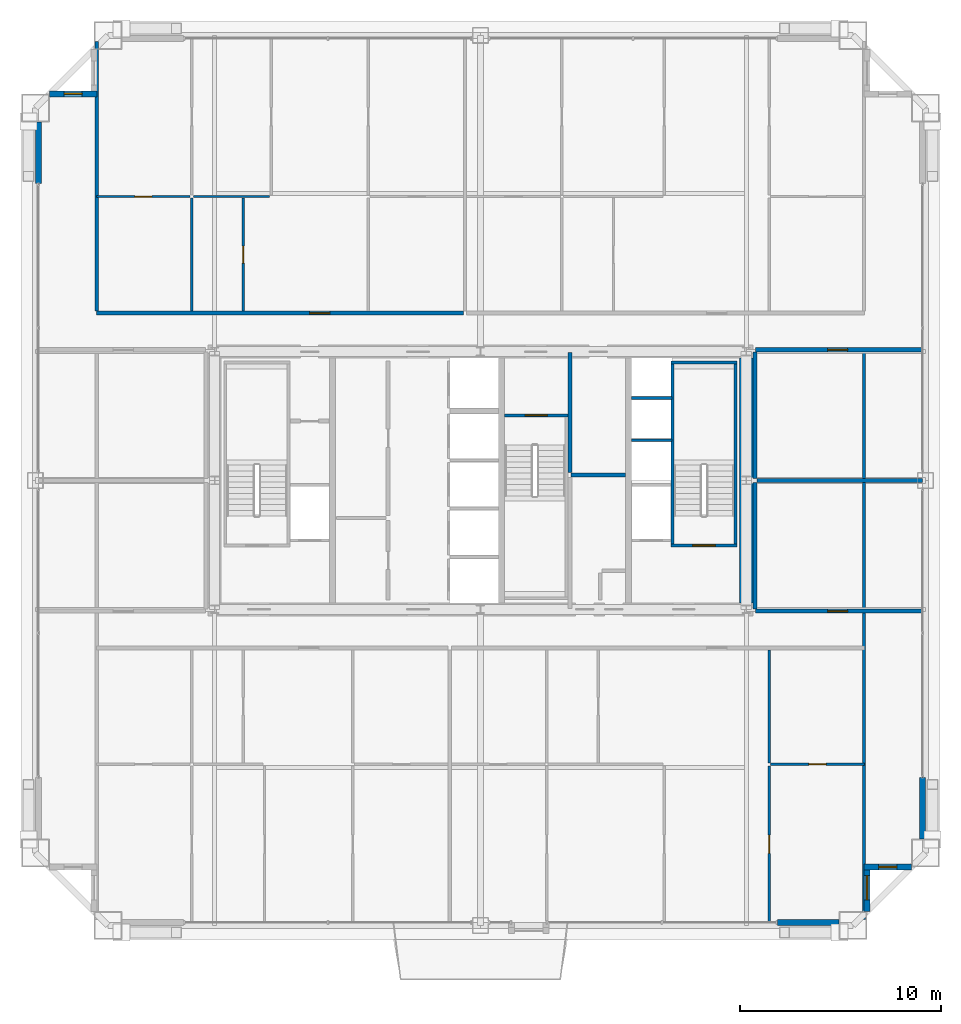
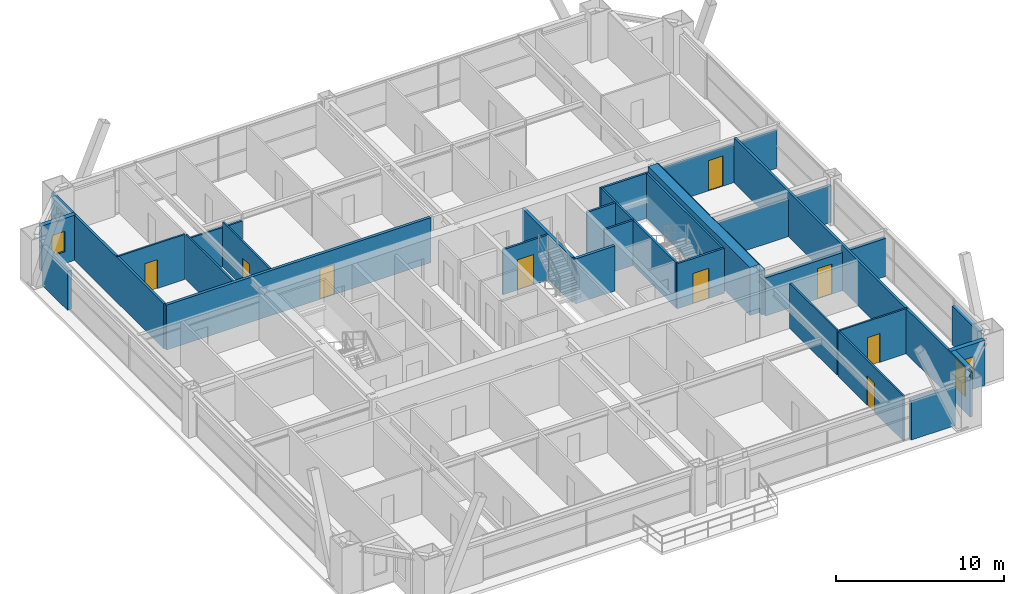
# One storey, part 42 of 45: 31 walls, 9 doors, 3 windows, 12 openings.
"""IFC4 building model written with IfcOpenShell, lengths in metres."""

from ifc_helpers import new_model, si_unit, direction, frame, frame_2d, origin, place, context, subcontext, project, spatial, rectangle, extrude, source, transform, mapped, material, layer, layer_set, type_object, element, fill, save


model = new_model("IFC4")

# Units and contexts
model_context = context("Model", 3, precision=1e-05, world=origin(), true_north=direction((0.0, 1.0)))
body_context = subcontext(model_context, "Body", "Model", "MODEL_VIEW")
ifc_project = project(units=[si_unit("LENGTHUNIT", "METRE"), si_unit("AREAUNIT", "SQUARE_METRE"), si_unit("VOLUMEUNIT", "CUBIC_METRE"), si_unit("PLANEANGLEUNIT", "RADIAN"), si_unit("MASSUNIT", "GRAM", prefix="KILO"), si_unit("THERMODYNAMICTEMPERATUREUNIT", "KELVIN"), si_unit("POWERUNIT", "WATT")], contexts=[model_context])

# Site, building, storey
site_placement = place(None, origin())
site = spatial("IfcSite", under=ifc_project, at=site_placement, CompositionType="ELEMENT")
building_placement = place(site_placement, origin())
building = spatial("IfcBuilding", under=site, at=building_placement, Name="Yuzanri Waterfront Tower", CompositionType="ELEMENT")
storey_placement = place(building_placement, frame((0.0, 0.0, 212.5)))
storey = spatial("IfcBuildingStorey", under=building, at=storey_placement, Name="L56", CompositionType="ELEMENT", Elevation=212.5)

# Wall, opening, door
ifc_material_1 = material(Name="Moisture-Resistant Gypsum Stud Wall", Category="gypsum")
ifc_layer_1 = layer(ifc_material_1, 0.1201171875)
ifc_layer_set_1 = layer_set([ifc_layer_1], Name="Moisture-Resistant Gypsum Stud Wall")
wall_type_1 = type_object("IfcWallType", Name="Bathroom and Kitchen Wet Partition 120", PredefinedType="PARTITIONING", material=ifc_layer_set_1)
wall_1_placement = place(storey_placement, frame((51.4130859375, 11.699951171875, 0.0), z_axis=(0.0, 0.0, 1.0), x_axis=(1.0, 0.0, 0.0)))
wall_1 = element("IfcWall", 1, at=wall_1_placement, inside=storey, type_object=wall_type_1, Name="L56 Partition UW-L56-RS2-SUB-3-S", PredefinedType="PARTITIONING", context=body_context, shape_type="SweptSolid", body=[
    extrude(rectangle(XDim=4.64697265625, YDim=0.1201171875, at=frame_2d((2.323486328125, 0.0))), origin(), (0.0, 0.0, 1.0), 3.280029296875),
])
opening_1_placement = place(wall_1_placement, frame((1.8984375, 0.0, 0.0)))
opening_1 = element("IfcOpeningElement", 2, at=opening_1_placement, cuts=wall_1, Name="Opening ID-0850", PredefinedType="OPENING", context=body_context, shape_type="SweptSolid", body=[
    extrude(rectangle(XDim=0.85009765625, YDim=2.10009765625, at=frame_2d((0.425048828125, 1.050048828125))), frame((0.0, 0.074951171875, 0.0), z_axis=(0.0, -1.0, 0.0), x_axis=(1.0, 0.0, 0.0)), (0.0, 0.0, 1.0), 0.14990234375),
])
ifc_material_2 = material(Name="Moisture-Resistant Lacquered Timber", Category="wood")
door_type_1 = type_object("IfcDoorType", Name="En-Suite Bathroom and Kitchen Swing Door 850x2100", OperationType="NOTDEFINED", PredefinedType="DOOR", material=ifc_material_2)
shared_shape_1 = source(origin(), body_context, "Body", "SweptSolid", [
    extrude(rectangle(XDim=0.85009765625, YDim=2.10009765625, at=frame_2d((0.425048828125, 1.050048828125))), frame((0.0, 0.02490234375, 0.0), z_axis=(0.0, -1.0, 0.0), x_axis=(1.0, 0.0, 0.0)), (0.0, 0.0, 1.0), 0.050048828125),
])
door_1_placement = place(opening_1_placement, origin())
door_1 = element("IfcDoor", 3, at=door_1_placement, inside=storey, type_object=door_type_1, Name="L56 Suite Interior Room Door", OperationType="SINGLE_SWING_RIGHT", OverallHeight=2.10009765625, OverallWidth=0.85009765625, PredefinedType="DOOR", context=body_context, shape_type="MappedRepresentation", body=[
    mapped(shared_shape_1, transform((0.0, 0.0, 0.0), scale=1.0)),
])
fill(opening_1, door_1)

wall_2_placement = place(storey_placement, frame((51.3330078125, 3.85009765625, 0.0), z_axis=(0.0, 0.0, 1.0), x_axis=(0.0, 1.0, 0.0)))
wall_2 = element("IfcWall", 4, at=wall_2_placement, inside=storey, type_object=wall_type_1, Name="L56 Partition UW-L56-RS2-SUB-5-W", PredefinedType="PARTITIONING", context=body_context, shape_type="SweptSolid", body=[
    extrude(rectangle(XDim=7.77001953125, YDim=0.1201171875, at=frame_2d((3.885009765625, 0.0))), origin(), (0.0, 0.0, 1.0), 3.280029296875),
])
opening_2_placement = place(wall_2_placement, frame((3.43505859375, 0.0, 0.0)))
opening_2 = element("IfcOpeningElement", 5, at=opening_2_placement, cuts=wall_2, Name="Opening ID-0900", PredefinedType="OPENING", context=body_context, shape_type="SweptSolid", body=[
    extrude(rectangle(XDim=0.89990234375, YDim=2.14990234375, at=frame_2d((0.449951171875, 1.074951171875))), frame((0.0, 0.074951171875, 0.0), z_axis=(0.0, -1.0, 0.0), x_axis=(1.0, 0.0, 0.0)), (0.0, 0.0, 1.0), 0.14990234375),
])
ifc_material_3 = material(Name="Stained Walnut Veneer Timber", Category="wood")
door_type_2 = type_object("IfcDoorType", Name="Bedroom and Study Interior Swing Door 900x2150", OperationType="NOTDEFINED", PredefinedType="DOOR", material=ifc_material_3)
shared_shape_2 = source(origin(), body_context, "Body", "SweptSolid", [
    extrude(rectangle(XDim=0.89990234375, YDim=2.14990234375, at=frame_2d((0.449951171875, 1.074951171875))), frame((0.0, 0.02490234375, 0.0), z_axis=(0.0, -1.0, 0.0), x_axis=(1.0, 0.0, 0.0)), (0.0, 0.0, 1.0), 0.050048828125),
])
door_2_placement = place(opening_2_placement, origin())
door_2 = element("IfcDoor", 6, at=door_2_placement, inside=storey, type_object=door_type_2, Name="L56 Suite Interior Room Door", OperationType="SINGLE_SWING_RIGHT", OverallHeight=2.14990234375, OverallWidth=0.89990234375, PredefinedType="DOOR", context=body_context, shape_type="MappedRepresentation", body=[
    mapped(shared_shape_2, transform((0.0, 0.0, 0.0), scale=1.0)),
])
fill(opening_2, door_2)

wall_3_placement = place(storey_placement, frame((17.93994140625, 39.89990234375, 0.0), z_axis=(0.0, 0.0, 1.0), x_axis=(1.0, 0.0, 0.0)))
wall_3 = element("IfcWall", 7, at=wall_3_placement, inside=storey, type_object=wall_type_1, Name="L56 Partition UW-L56-RN1-SUB-1-N", PredefinedType="PARTITIONING", context=body_context, shape_type="SweptSolid", body=[
    extrude(rectangle(XDim=4.64697265625, YDim=0.1201171875, at=frame_2d((2.323486328125, 0.0))), origin(), (0.0, 0.0, 1.0), 3.280029296875),
])
opening_3_placement = place(wall_3_placement, frame((1.8984375, 0.0, 0.0)))
opening_3 = element("IfcOpeningElement", 8, at=opening_3_placement, cuts=wall_3, Name="Opening ID-0850", PredefinedType="OPENING", context=body_context, shape_type="SweptSolid", body=[
    extrude(rectangle(XDim=0.85009765625, YDim=2.10009765625, at=frame_2d((0.425048828125, 1.050048828125))), frame((0.0, 0.074951171875, 0.0), z_axis=(0.0, -1.0, 0.0), x_axis=(1.0, 0.0, 0.0)), (0.0, 0.0, 1.0), 0.14990234375),
])
door_3_placement = place(opening_3_placement, origin())
door_3 = element("IfcDoor", 9, at=door_3_placement, inside=storey, type_object=door_type_1, Name="L56 Suite Interior Room Door", OperationType="SINGLE_SWING_LEFT", OverallHeight=2.10009765625, OverallWidth=0.85009765625, PredefinedType="DOOR", context=body_context, shape_type="MappedRepresentation", body=[
    mapped(shared_shape_1, transform((0.0, 0.0, 0.0), scale=1.0)),
])
fill(opening_3, door_3)

wall_4_placement = place(storey_placement, frame((25.22705078125, 34.2099609375, 0.0), z_axis=(0.0, 0.0, 1.0), x_axis=(0.0, 1.0, 0.0)))
wall_4 = element("IfcWall", 10, at=wall_4_placement, inside=storey, type_object=wall_type_1, Name="L56 Partition UW-L56-RN1-SUB-2-E", PredefinedType="PARTITIONING", context=body_context, shape_type="SweptSolid", body=[
    extrude(rectangle(XDim=5.610107421875, YDim=0.1201171875, at=frame_2d((2.80517578125, 0.0))), origin(), (0.0, 0.0, 1.0), 3.280029296875),
])
opening_4_placement = place(wall_4_placement, frame((2.3798828125, 0.0, 0.0)))
opening_4 = element("IfcOpeningElement", 11, at=opening_4_placement, cuts=wall_4, Name="Opening ID-0850", PredefinedType="OPENING", context=body_context, shape_type="SweptSolid", body=[
    extrude(rectangle(XDim=0.85009765625, YDim=2.10009765625, at=frame_2d((0.425048828125, 1.050048828125))), frame((0.0, 0.074951171875, 0.0), z_axis=(0.0, -1.0, 0.0), x_axis=(1.0, 0.0, 0.0)), (0.0, 0.0, 1.0), 0.14990234375),
])
door_4_placement = place(opening_4_placement, origin())
door_4 = element("IfcDoor", 12, at=door_4_placement, inside=storey, type_object=door_type_1, Name="L56 Suite Interior Room Door", OperationType="SINGLE_SWING_RIGHT", OverallHeight=2.10009765625, OverallWidth=0.85009765625, PredefinedType="DOOR", context=body_context, shape_type="MappedRepresentation", body=[
    mapped(shared_shape_1, transform((0.0, 0.0, 0.0), scale=1.0)),
])
fill(opening_4, door_4)

# Wall, opening, window
ifc_material_4 = material(Name="Honed Chongqing Dark Basalt Stone", Category="masonry")
ifc_layer_2 = layer(ifc_material_4, 0.300048828125)
ifc_layer_set_2 = layer_set([ifc_layer_2], Name="Honed Chongqing Dark Basalt Stone")
wall_type_2 = type_object("IfcWallType", Name="Bronze Rainscreen Insulated Spandrel Portal Wall 300", PredefinedType="SOLIDWALL", material=ifc_layer_set_2)
wall_5_placement = place(storey_placement, frame((56.050048828125, 6.60009765625, 0.0), z_axis=(0.0, 0.0, 1.0), x_axis=(1.0, 0.0, 0.0)))
wall_5 = element("IfcWall", 13, at=wall_5_placement, inside=storey, type_object=wall_type_2, Name="L56 Notched Corner Masonry Wall SE-X", PredefinedType="SOLIDWALL", context=body_context, shape_type="SweptSolid", body=[
    extrude(rectangle(XDim=2.349853515625, YDim=0.300048828125, at=frame_2d((1.1748046875, 0.0))), origin(), (0.0, 0.0, 1.0), 3.280029296875),
])
opening_5_placement = place(wall_5_placement, frame((0.72509765625, 0.0, 0.85009765625)))
opening_5 = element("IfcOpeningElement", 14, at=opening_5_placement, cuts=wall_5, Name="Opening WN-05", PredefinedType="OPENING", context=body_context, shape_type="SweptSolid", body=[
    extrude(rectangle(XDim=0.89990234375, YDim=1.5, at=frame_2d((0.449951171875, 0.75))), frame((0.0, 0.1650390625, 0.0), z_axis=(0.0, -1.0, 0.0), x_axis=(1.0, 0.0, 0.0)), (0.0, 0.0, 1.0), 0.329833984375),
])
ifc_material_5 = material(Name="Double-Silver Low-E Insulated Glass", Category="glass")
window_type_1 = type_object("IfcWindowType", Name="Anodized Bronze Service and Stairwell Smoke-Vent Window 900x1500", PartitioningType="SINGLE_PANEL", PredefinedType="WINDOW", material=ifc_material_5)
shared_shape_3 = source(origin(), body_context, "Body", "SweptSolid", [
    extrude(rectangle(XDim=0.89990234375, YDim=1.5, at=frame_2d((0.449951171875, 0.75))), frame((0.0, 0.030029296875, 0.0), z_axis=(0.0, -1.0, 0.0), x_axis=(1.0, 0.0, 0.0)), (0.0, 0.0, 1.0), 0.06005859375),
])
window_1_placement = place(opening_5_placement, origin())
window_1 = element("IfcWindow", 15, at=window_1_placement, inside=storey, type_object=window_type_1, Name="L56 Notched Corner Window SE-X", OverallHeight=1.5, OverallWidth=0.89990234375, PartitioningType="SINGLE_PANEL", PredefinedType="WINDOW", context=body_context, shape_type="MappedRepresentation", body=[
    mapped(shared_shape_3, transform((0.0, 0.0, 0.0), scale=1.0)),
])
fill(opening_5, window_1)

wall_6_placement = place(storey_placement, frame((56.199951171875, 4.39990234375, 0.0), z_axis=(0.0, 0.0, 1.0), x_axis=(0.0, 1.0, 0.0)))
wall_6 = element("IfcWall", 16, at=wall_6_placement, inside=storey, type_object=wall_type_2, Name="L56 Notched Corner Masonry Wall SE-Y", PredefinedType="SOLIDWALL", context=body_context, shape_type="SweptSolid", body=[
    extrude(rectangle(XDim=2.35009765625, YDim=0.300048828125, at=frame_2d((1.175048828125, 0.0))), origin(), (0.0, 0.0, 1.0), 3.280029296875),
])
opening_6_placement = place(wall_6_placement, frame((0.574951171875, 0.0, 0.85009765625)))
opening_6 = element("IfcOpeningElement", 17, at=opening_6_placement, cuts=wall_6, Name="Opening WN-02", PredefinedType="OPENING", context=body_context, shape_type="SweptSolid", body=[
    extrude(rectangle(XDim=1.199951171875, YDim=2.10009765625, at=frame_2d((0.60009765625, 1.050048828125))), frame((0.0, 0.1650390625, 0.0), z_axis=(0.0, -1.0, 0.0), x_axis=(1.0, 0.0, 0.0)), (0.0, 0.0, 1.0), 0.329833984375),
])
ifc_material_6 = material(Name="Double-Silver Low-E Insulated Glass", Category="glass")
window_type_2 = type_object("IfcWindowType", Name="Anodized Bronze Notched Corner Deep-Set Slot Window 1200x2100", PartitioningType="SINGLE_PANEL", PredefinedType="WINDOW", material=ifc_material_6)
shared_shape_4 = source(origin(), body_context, "Body", "SweptSolid", [
    extrude(rectangle(XDim=1.199951171875, YDim=2.10009765625, at=frame_2d((0.60009765625, 1.050048828125))), frame((0.0, 0.030029296875, 0.0), z_axis=(0.0, -1.0, 0.0), x_axis=(1.0, 0.0, 0.0)), (0.0, 0.0, 1.0), 0.06005859375),
])
window_2_placement = place(opening_6_placement, origin())
window_2 = element("IfcWindow", 18, at=window_2_placement, inside=storey, type_object=window_type_2, Name="L56 Notched Corner Window SE-Y", OverallHeight=2.10009765625, OverallWidth=1.199951171875, PartitioningType="SINGLE_PANEL", PredefinedType="WINDOW", context=body_context, shape_type="MappedRepresentation", body=[
    mapped(shared_shape_4, transform((0.0, 0.0, 0.0), scale=1.0)),
])
fill(opening_6, window_2)

wall_7_placement = place(storey_placement, frame((17.949951171875, 45.0, 0.0), z_axis=(0.0, 0.0, 1.0), x_axis=(-1.0, 0.0, 0.0)))
wall_7 = element("IfcWall", 19, at=wall_7_placement, inside=storey, type_object=wall_type_2, Name="L56 Notched Corner Masonry Wall NW-X", PredefinedType="SOLIDWALL", context=body_context, shape_type="SweptSolid", body=[
    extrude(rectangle(XDim=2.349853515625, YDim=0.300048828125, at=frame_2d((1.1748046875, 0.0))), origin(), (0.0, 0.0, 1.0), 3.280029296875),
])
opening_7_placement = place(wall_7_placement, frame((0.72509765625, 0.0, 0.85009765625)))
opening_7 = element("IfcOpeningElement", 20, at=opening_7_placement, cuts=wall_7, Name="Opening WN-05", PredefinedType="OPENING", context=body_context, shape_type="SweptSolid", body=[
    extrude(rectangle(XDim=0.89990234375, YDim=1.5, at=frame_2d((0.449951171875, 0.75))), frame((0.0, 0.1650390625, 0.0), z_axis=(0.0, -1.0, 0.0), x_axis=(1.0, 0.0, 0.0)), (0.0, 0.0, 1.0), 0.329833984375),
])
window_3_placement = place(opening_7_placement, origin())
window_3 = element("IfcWindow", 21, at=window_3_placement, inside=storey, type_object=window_type_1, Name="L56 Notched Corner Window NW-X", OverallHeight=1.5, OverallWidth=0.89990234375, PartitioningType="SINGLE_PANEL", PredefinedType="WINDOW", context=body_context, shape_type="MappedRepresentation", body=[
    mapped(shared_shape_3, transform((0.0, 0.0, 0.0), scale=1.0)),
])
fill(opening_7, window_3)

# Wall, opening, door
ifc_material_7 = material(Name="Concrete C40", Category="concrete")
ifc_layer_3 = layer(ifc_material_7, 0.139892578125)
ifc_layer_set_3 = layer_set([ifc_layer_3], Name="Concrete C40")
wall_type_3 = type_object("IfcWallType", Name="Core Stair Liner and Hoistway Shaft Wall 140", PredefinedType="SOLIDWALL", material=ifc_layer_set_3)
wall_8_placement = place(storey_placement, frame((46.4599609375, 22.570068359375, 0.0), z_axis=(0.0, 0.0, 1.0), x_axis=(1.0, 0.0, 0.0)))
wall_8 = element("IfcWall", 22, at=wall_8_placement, inside=storey, type_object=wall_type_3, Name="L56 Shaft Wall STW-L56-ST-02-S", PredefinedType="SOLIDWALL", context=body_context, shape_type="SweptSolid", body=[
    extrude(rectangle(XDim=3.280029296875, YDim=0.139892578125, at=frame_2d((1.64013671875, 0.0))), origin(), (0.0, 0.0, 1.0), 3.280029296875),
])
opening_8_placement = place(wall_8_placement, frame((1.090087890625, 0.0, 0.0)))
opening_8 = element("IfcOpeningElement", 23, at=opening_8_placement, cuts=wall_8, Name="Opening FD-1100", PredefinedType="OPENING", context=body_context, shape_type="SweptSolid", body=[
    extrude(rectangle(XDim=1.10009765625, YDim=2.199951171875, at=frame_2d((0.550048828125, 1.10009765625))), frame((0.0, 0.0849609375, 0.0), z_axis=(0.0, -1.0, 0.0), x_axis=(1.0, 0.0, 0.0)), (0.0, 0.0, 1.0), 0.169677734375),
])
ifc_material_8 = material(Name="Painted Galvanized Fire Steel", Category="steel")
door_type_3 = type_object("IfcDoorType", Name="Smoke-Proof Stair and Lobby Fire Door 1100x2200", OperationType="NOTDEFINED", PredefinedType="DOOR", material=ifc_material_8)
shared_shape_5 = source(origin(), body_context, "Body", "SweptSolid", [
    extrude(rectangle(XDim=1.10009765625, YDim=2.199951171875, at=frame_2d((0.550048828125, 1.10009765625))), frame((0.0, 0.02490234375, 0.0), z_axis=(0.0, -1.0, 0.0), x_axis=(1.0, 0.0, 0.0)), (0.0, 0.0, 1.0), 0.050048828125),
])
door_5_placement = place(opening_8_placement, origin())
door_5 = element("IfcDoor", 24, at=door_5_placement, inside=storey, type_object=door_type_3, Name="L56 Stair ST-02 Fire Door", OperationType="SINGLE_SWING_RIGHT", OverallHeight=2.199951171875, OverallWidth=1.10009765625, PredefinedType="DOOR", context=body_context, shape_type="MappedRepresentation", body=[
    mapped(shared_shape_5, transform((0.0, 0.0, 0.0), scale=1.0)),
])
fill(opening_8, door_5)

wall_9_placement = place(storey_placement, frame((38.199951171875, 29.030029296875, 0.0), z_axis=(0.0, 0.0, 1.0), x_axis=(1.0, 0.0, 0.0)))
wall_9 = element("IfcWall", 25, at=wall_9_placement, inside=storey, type_object=wall_type_3, Name="L56 Shaft Wall STW-L56-ST-03-N", PredefinedType="SOLIDWALL", context=body_context, shape_type="SweptSolid", body=[
    extrude(rectangle(XDim=3.14013671875, YDim=0.139892578125, at=frame_2d((1.570068359375, 0.0))), origin(), (0.0, 0.0, 1.0), 3.280029296875),
])
opening_9_placement = place(wall_9_placement, frame((1.02001953125, 0.0, 0.0)))
opening_9 = element("IfcOpeningElement", 26, at=opening_9_placement, cuts=wall_9, Name="Opening FD-1100", PredefinedType="OPENING", context=body_context, shape_type="SweptSolid", body=[
    extrude(rectangle(XDim=1.10009765625, YDim=2.199951171875, at=frame_2d((0.550048828125, 1.10009765625))), frame((0.0, 0.0849609375, 0.0), z_axis=(0.0, -1.0, 0.0), x_axis=(1.0, 0.0, 0.0)), (0.0, 0.0, 1.0), 0.169677734375),
])
door_6_placement = place(opening_9_placement, origin())
door_6 = element("IfcDoor", 27, at=door_6_placement, inside=storey, type_object=door_type_3, Name="L56 Stair ST-03 Fire Door", OperationType="SINGLE_SWING_LEFT", OverallHeight=2.199951171875, OverallWidth=1.10009765625, PredefinedType="DOOR", context=body_context, shape_type="MappedRepresentation", body=[
    mapped(shared_shape_5, transform((0.0, 0.0, 0.0), scale=1.0)),
])
fill(opening_9, door_6)

ifc_material_9 = material(Name="Autoclaved Aerated Concrete Blockwork", Category="masonry")
ifc_layer_4 = layer(ifc_material_9, 0.199951171875)
ifc_layer_set_4 = layer_set([ifc_layer_4], Name="Autoclaved Aerated Concrete Blockwork")
wall_type_4 = type_object("IfcWallType", Name="Corridor and Unit Party Fire Wall 200", PredefinedType="PARTITIONING", material=ifc_layer_set_4)
wall_10_placement = place(storey_placement, frame((17.93994140625, 34.110107421875, 0.0), z_axis=(0.0, 0.0, 1.0), x_axis=(1.0, 0.0, 0.0)))
wall_10 = element("IfcWall", 28, at=wall_10_placement, inside=storey, type_object=wall_type_4, Name="L56 Partition UW-L56-RN1-CS", PredefinedType="PARTITIONING", context=body_context, shape_type="SweptSolid", body=[
    extrude(rectangle(XDim=18.218017578125, YDim=0.199951171875, at=frame_2d((9.10888671875, 0.0))), origin(), (0.0, 0.0, 1.0), 3.280029296875),
])
opening_10_placement = place(wall_10_placement, frame((10.58203125, 0.0, 0.0)))
opening_10 = element("IfcOpeningElement", 29, at=opening_10_placement, cuts=wall_10, Name="Opening FD-1000", PredefinedType="OPENING", context=body_context, shape_type="SweptSolid", body=[
    extrude(rectangle(XDim=1.0, YDim=2.199951171875, at=frame_2d((0.5, 1.10009765625))), frame((0.0, 0.11474609375, 0.0), z_axis=(0.0, -1.0, 0.0), x_axis=(1.0, 0.0, 0.0)), (0.0, 0.0, 1.0), 0.229736328125),
])
ifc_material_10 = material(Name="Engineered Oak Fire-Rated Timber", Category="wood")
door_type_4 = type_object("IfcDoorType", Name="Guestroom and Apartment Entrance Fire Door 1000x2200", OperationType="NOTDEFINED", PredefinedType="DOOR", material=ifc_material_10)
shared_shape_6 = source(origin(), body_context, "Body", "SweptSolid", [
    extrude(rectangle(XDim=1.0, YDim=2.199951171875, at=frame_2d((0.5, 1.10009765625))), frame((0.0, 0.02490234375, 0.0), z_axis=(0.0, -1.0, 0.0), x_axis=(1.0, 0.0, 0.0)), (0.0, 0.0, 1.0), 0.050048828125),
])
door_7_placement = place(opening_10_placement, origin())
door_7 = element("IfcDoor", 30, at=door_7_placement, inside=storey, type_object=door_type_4, Name="L56 Apartment Living and Dining Salon Entrance Door", OperationType="SINGLE_SWING_RIGHT", OverallHeight=2.199951171875, OverallWidth=1.0, PredefinedType="DOOR", context=body_context, shape_type="MappedRepresentation", body=[
    mapped(shared_shape_6, transform((0.0, 0.0, 0.0), scale=1.0)),
])
fill(opening_10, door_7)

wall_11_placement = place(storey_placement, frame((50.64990234375, 19.31005859375, 0.0), z_axis=(0.0, 0.0, 1.0), x_axis=(1.0, 0.0, 0.0)))
wall_11 = element("IfcWall", 31, at=wall_11_placement, inside=storey, type_object=wall_type_4, Name="L56 Partition UW-L56-047-CS", PredefinedType="PARTITIONING", context=body_context, shape_type="SweptSolid", body=[
    extrude(rectangle(XDim=8.300048828125, YDim=0.199951171875, at=frame_2d((4.14990234375, 0.0))), origin(), (0.0, 0.0, 1.0), 2.77490234375),
])
opening_11_placement = place(wall_11_placement, frame((3.5849609375, 0.0, 0.0)))
opening_11 = element("IfcOpeningElement", 32, at=opening_11_placement, cuts=wall_11, Name="Opening FD-1000", PredefinedType="OPENING", context=body_context, shape_type="SweptSolid", body=[
    extrude(rectangle(XDim=1.0, YDim=2.199951171875, at=frame_2d((0.5, 1.10009765625))), frame((0.0, 0.11474609375, 0.0), z_axis=(0.0, -1.0, 0.0), x_axis=(1.0, 0.0, 0.0)), (0.0, 0.0, 1.0), 0.229736328125),
])
door_8_placement = place(opening_11_placement, origin())
door_8 = element("IfcDoor", 33, at=door_8_placement, inside=storey, type_object=door_type_4, Name="L56 Residents E Sky Club Room Entrance Door", OperationType="SINGLE_SWING_RIGHT", OverallHeight=2.199951171875, OverallWidth=1.0, PredefinedType="DOOR", context=body_context, shape_type="MappedRepresentation", body=[
    mapped(shared_shape_6, transform((0.0, 0.0, 0.0), scale=1.0)),
])
fill(opening_11, door_8)

wall_12_placement = place(storey_placement, frame((50.64990234375, 32.2900390625, 0.0), z_axis=(0.0, 0.0, 1.0), x_axis=(1.0, 0.0, 0.0)))
wall_12 = element("IfcWall", 34, at=wall_12_placement, inside=storey, type_object=wall_type_4, Name="L56 Partition UW-L56-048-CN", PredefinedType="PARTITIONING", context=body_context, shape_type="SweptSolid", body=[
    extrude(rectangle(XDim=8.300048828125, YDim=0.199951171875, at=frame_2d((4.14990234375, 0.0))), origin(), (0.0, 0.0, 1.0), 2.77490234375),
])
opening_12_placement = place(wall_12_placement, frame((3.5849609375, 0.0, 0.0)))
opening_12 = element("IfcOpeningElement", 35, at=opening_12_placement, cuts=wall_12, Name="Opening FD-1000", PredefinedType="OPENING", context=body_context, shape_type="SweptSolid", body=[
    extrude(rectangle(XDim=1.0, YDim=2.199951171875, at=frame_2d((0.5, 1.10009765625))), frame((0.0, 0.11474609375, 0.0), z_axis=(0.0, -1.0, 0.0), x_axis=(1.0, 0.0, 0.0)), (0.0, 0.0, 1.0), 0.229736328125),
])
door_9_placement = place(opening_12_placement, origin())
door_9 = element("IfcDoor", 36, at=door_9_placement, inside=storey, type_object=door_type_4, Name="L56 Residents E Library Reading Room Entrance Door", OperationType="SINGLE_SWING_LEFT", OverallHeight=2.199951171875, OverallWidth=1.0, PredefinedType="DOOR", context=body_context, shape_type="MappedRepresentation", body=[
    mapped(shared_shape_6, transform((0.0, 0.0, 0.0), scale=1.0)),
])
fill(opening_12, door_9)

# Walls
ifc_material_11 = material(Name="Concrete C50", Category="concrete")
ifc_layer_5 = layer(ifc_material_11, 0.64990234375)
ifc_layer_set_5 = layer_set([ifc_layer_5], Name="Concrete C50")
wall_type_5 = type_object("IfcWallType", Name="Concrete C50 Mid Zone Core Shear Wall 650", PredefinedType="SHEAR", material=ifc_layer_set_5)
shared_shape_7 = source(origin(), body_context, "Body", "SweptSolid", [
    extrude(rectangle(XDim=12.14990234375, YDim=0.64990234375, at=frame_2d((6.074951171875, 0.0))), origin(), (0.0, 0.0, 1.0), 3.5),
])
wall_13_placement = place(storey_placement, frame((50.199951171875, 19.72509765625, 0.0), z_axis=(0.0, 0.0, 1.0), x_axis=(0.0, 1.0, 0.0)))
element("IfcWall", 37, at=wall_13_placement, inside=storey, type_object=wall_type_5, Name="L56 Core East Shear Wall", PredefinedType="SHEAR", context=body_context, shape_type="MappedRepresentation", body=[
    mapped(shared_shape_7, transform((0.0, 0.0, 0.0), scale=1.0)),
])
shared_shape_8 = source(origin(), body_context, "Body", "SweptSolid", [
    extrude(rectangle(XDim=3.050048828125, YDim=0.300048828125, at=frame_2d((1.52490234375, 0.0))), origin(), (0.0, 0.0, 1.0), 2.8349609375),
])
for number, where, z_axis, x_axis, name in (
    (38, (51.75, 3.85009765625, 0.0), (0.0, 0.0, 1.0), (1.0, 0.0, 0.0), "L56 S Right Braced Masonry Shoulder"),
    (39, (15.050048828125, 40.550048828125, 0.0), (0.0, 0.0, 1.0), (0.0, 1.0, 0.0), "L56 W Right Braced Masonry Shoulder"),
    (40, (58.949951171875, 8.0, 0.0), (0.0, 0.0, 1.0), (0.0, 1.0, 0.0), "L56 E Left Braced Masonry Shoulder"),
):
    element("IfcWall", number, at=place(storey_placement, frame(where, z_axis=z_axis, x_axis=x_axis)), inside=storey, type_object=wall_type_2, Name=name, PredefinedType="SOLIDWALL", context=body_context, shape_type="MappedRepresentation", body=[
        mapped(shared_shape_8, transform((0.0, 0.0, 0.0), scale=1.0)),
    ])
shared_shape_9 = source(origin(), body_context, "Body", "SweptSolid", [
    extrude(rectangle(XDim=2.0, YDim=0.139892578125, at=frame_2d((1.0, 0.0))), origin(), (0.0, 0.0, 1.0), 3.280029296875),
])
for number, where, z_axis, x_axis, name in (
    (41, (44.5, 27.800048828125, 0.0), (0.0, 0.0, 1.0), (1.0, 0.0, 0.0), "L56 Lift PL-09 Divider Wall"),
    (42, (44.5, 29.89990234375, 0.0), (0.0, 0.0, 1.0), (1.0, 0.0, 0.0), "L56 Lift PL-10 Divider Wall"),
):
    element("IfcWall", number, at=place(storey_placement, frame(where, z_axis=z_axis, x_axis=x_axis)), inside=storey, type_object=wall_type_3, Name=name, PredefinedType="SOLIDWALL", context=body_context, shape_type="MappedRepresentation", body=[
        mapped(shared_shape_9, transform((0.0, 0.0, 0.0), scale=1.0)),
    ])
shared_shape_10 = source(origin(), body_context, "Body", "SweptSolid", [
    extrude(rectangle(XDim=3.280029296875, YDim=0.139892578125, at=frame_2d((1.64013671875, 0.0))), origin(), (0.0, 0.0, 1.0), 3.280029296875),
])
wall_14_placement = place(storey_placement, frame((46.4599609375, 31.64990234375, 0.0), z_axis=(0.0, 0.0, 1.0), x_axis=(1.0, 0.0, 0.0)))
element("IfcWall", 43, at=wall_14_placement, inside=storey, type_object=wall_type_3, Name="L56 Stair ST-02 North Shaft Wall", PredefinedType="SOLIDWALL", context=body_context, shape_type="MappedRepresentation", body=[
    mapped(shared_shape_10, transform((0.0, 0.0, 0.0), scale=1.0)),
])
shared_shape_11 = source(origin(), body_context, "Body", "SweptSolid", [
    extrude(rectangle(XDim=8.940185546875, YDim=0.139892578125, at=frame_2d((4.47021484375, 0.0))), origin(), (0.0, 0.0, 1.0), 3.280029296875),
])
for number, where, z_axis, x_axis, name in (
    (44, (46.530029296875, 22.639892578125, 0.0), (0.0, 0.0, 1.0), (0.0, 1.0, 0.0), "L56 Stair ST-02 West Shaft Wall"),
    (45, (49.669921875, 22.639892578125, 0.0), (0.0, 0.0, 1.0), (0.0, 1.0, 0.0), "L56 Stair ST-02 East Shaft Wall"),
):
    element("IfcWall", number, at=place(storey_placement, frame(where, z_axis=z_axis, x_axis=x_axis)), inside=storey, type_object=wall_type_3, Name=name, PredefinedType="SOLIDWALL", context=body_context, shape_type="MappedRepresentation", body=[
        mapped(shared_shape_11, transform((0.0, 0.0, 0.0), scale=1.0)),
    ])
ifc_material_12 = material(Name="Gypsum Fireboard Acoustic Stud Wall", Category="gypsum")
ifc_layer_6 = layer(ifc_material_12, 0.159912109375)
ifc_layer_set_6 = layer_set([ifc_layer_6], Name="Gypsum Fireboard Acoustic Stud Wall")
wall_type_6 = type_object("IfcWallType", Name="Acoustic Suite Demising Partition 160", PredefinedType="PARTITIONING", material=ifc_layer_set_6)
shared_shape_12 = source(origin(), body_context, "Body", "SweptSolid", [
    extrude(rectangle(XDim=13.39013671875, YDim=0.159912109375, at=frame_2d((6.695068359375, 0.0))), origin(), (0.0, 0.0, 1.0), 3.280029296875),
])
wall_15_placement = place(storey_placement, frame((17.949951171875, 34.2099609375, 0.0), z_axis=(0.0, 0.0, 1.0), x_axis=(0.0, 1.0, 0.0)))
element("IfcWall", 46, at=wall_15_placement, inside=storey, type_object=wall_type_6, Name="L56 North Band West End Wall", PredefinedType="PARTITIONING", context=body_context, shape_type="MappedRepresentation", body=[
    mapped(shared_shape_12, transform((0.0, 0.0, 0.0), scale=1.0)),
])
shared_shape_13 = source(origin(), body_context, "Body", "SweptSolid", [
    extrude(rectangle(XDim=2.699951171875, YDim=0.199951171875, at=frame_2d((1.35009765625, 0.0))), origin(), (0.0, 0.0, 1.0), 3.280029296875),
])
wall_16_placement = place(storey_placement, frame((41.5, 26.070068359375, 0.0), z_axis=(0.0, 0.0, 1.0), x_axis=(1.0, 0.0, 0.0)))
element("IfcWall", 47, at=wall_16_placement, inside=storey, type_object=wall_type_4, Name="L56 Core BOH Split Wall 1", PredefinedType="PARTITIONING", context=body_context, shape_type="MappedRepresentation", body=[
    mapped(shared_shape_13, transform((0.0, 0.0, 0.0), scale=1.0)),
])
shared_shape_14 = source(origin(), body_context, "Body", "SweptSolid", [
    extrude(rectangle(XDim=5.9599609375, YDim=0.199951171875, at=frame_2d((2.97998046875, 0.0))), origin(), (0.0, 0.0, 1.0), 3.280029296875),
])
wall_17_placement = place(storey_placement, frame((41.449951171875, 26.199951171875, 0.0), z_axis=(0.0, 0.0, 1.0), x_axis=(0.0, 1.0, 0.0)))
element("IfcWall", 48, at=wall_17_placement, inside=storey, type_object=wall_type_4, Name="L56 Core BOH West Wall 2", PredefinedType="PARTITIONING", context=body_context, shape_type="MappedRepresentation", body=[
    mapped(shared_shape_14, transform((0.0, 0.0, 0.0), scale=1.0)),
])
shared_shape_15 = source(origin(), body_context, "Body", "SweptSolid", [
    extrude(rectangle(XDim=5.60986328125, YDim=0.1201171875, at=frame_2d((2.804931640625, 0.0))), origin(), (0.0, 0.0, 1.0), 3.280029296875),
])
wall_18_placement = place(storey_placement, frame((51.3330078125, 11.780029296875, 0.0), z_axis=(0.0, 0.0, 1.0), x_axis=(0.0, 1.0, 0.0)))
element("IfcWall", 49, at=wall_18_placement, inside=storey, type_object=wall_type_1, Name="L56 Partition UW-L56-RS2-SUB-3-W", PredefinedType="PARTITIONING", context=body_context, shape_type="MappedRepresentation", body=[
    mapped(shared_shape_15, transform((0.0, 0.0, 0.0), scale=1.0)),
])
shared_shape_16 = source(origin(), body_context, "Body", "SweptSolid", [
    extrude(rectangle(XDim=5.610107421875, YDim=0.1201171875, at=frame_2d((2.80517578125, 0.0))), origin(), (0.0, 0.0, 1.0), 3.280029296875),
])
wall_19_placement = place(storey_placement, frame((22.6669921875, 34.2099609375, 0.0), z_axis=(0.0, 0.0, 1.0), x_axis=(0.0, 1.0, 0.0)))
element("IfcWall", 50, at=wall_19_placement, inside=storey, type_object=wall_type_1, Name="L56 Partition UW-L56-RN1-SUB-1-E", PredefinedType="PARTITIONING", context=body_context, shape_type="MappedRepresentation", body=[
    mapped(shared_shape_16, transform((0.0, 0.0, 0.0), scale=1.0)),
])
shared_shape_17 = source(origin(), body_context, "Body", "SweptSolid", [
    extrude(rectangle(XDim=8.21484375, YDim=0.199951171875, at=frame_2d((4.107421875, 0.0))), origin(), (0.0, 0.0, 1.0), 2.68701171875),
])
wall_20_placement = place(storey_placement, frame((50.735107421875, 25.800048828125, 0.0), z_axis=(0.0, 0.0, 1.0), x_axis=(1.0, 0.0, 0.0)))
element("IfcWall", 51, at=wall_20_placement, inside=storey, type_object=wall_type_4, Name="L56-047 Wing North Wall", PredefinedType="PARTITIONING", context=body_context, shape_type="MappedRepresentation", body=[
    mapped(shared_shape_17, transform((0.0, 0.0, 0.0), scale=1.0)),
])
shared_shape_18 = source(origin(), body_context, "Body", "SweptSolid", [
    extrude(rectangle(XDim=6.2900390625, YDim=0.199951171875, at=frame_2d((3.14501953125, 0.0))), origin(), (0.0, 0.0, 1.0), 3.280029296875),
])
for number, where, z_axis, x_axis, name in (
    (52, (50.6298828125, 19.409912109375, 0.0), (0.0, 0.0, 1.0), (0.0, 1.0, 0.0), "L56-047 Wing Inner Core-Side Wall"),
    (53, (50.6298828125, 25.89990234375, 0.0), (0.0, 0.0, 1.0), (0.0, 1.0, 0.0), "L56-048 Wing Inner Core-Side Wall"),
):
    element("IfcWall", number, at=place(storey_placement, frame(where, z_axis=z_axis, x_axis=x_axis)), inside=storey, type_object=wall_type_4, Name=name, PredefinedType="PARTITIONING", context=body_context, shape_type="MappedRepresentation", body=[
        mapped(shared_shape_18, transform((0.0, 0.0, 0.0), scale=1.0)),
    ])
shared_shape_19 = source(origin(), body_context, "Body", "SweptSolid", [
    extrude(rectangle(XDim=28.18994140625, YDim=0.159912109375, at=frame_2d((14.094970703125, 0.0))), origin(), (0.0, 0.0, 1.0), 3.280029296875),
])
wall_21_placement = place(storey_placement, frame((56.050048828125, 4.0, 0.0), z_axis=(0.0, 0.0, 1.0), x_axis=(0.0, 1.0, 0.0)))
element("IfcWall", 54, at=wall_21_placement, inside=storey, type_object=wall_type_6, Name="L56 South Band East End Wall", PredefinedType="PARTITIONING", context=body_context, shape_type="MappedRepresentation", body=[
    mapped(shared_shape_19, transform((0.0, 0.0, 0.0), scale=1.0)),
])
shared_shape_20 = source(origin(), body_context, "Body", "SweptSolid", [
    extrude(rectangle(XDim=3.785888671875, YDim=0.1201171875, at=frame_2d((1.89306640625, 0.0))), origin(), (0.0, 0.0, 1.0), 2.875),
])
wall_22_placement = place(storey_placement, frame((22.7470703125, 39.89990234375, 0.0), z_axis=(0.0, 0.0, 1.0), x_axis=(1.0, 0.0, 0.0)))
element("IfcWall", 55, at=wall_22_placement, inside=storey, type_object=wall_type_1, Name="L56 Partition UW-L56-RN1-SUB-6-S", PredefinedType="PARTITIONING", context=body_context, shape_type="MappedRepresentation", body=[
    mapped(shared_shape_20, transform((0.0, 0.0, 0.0), scale=1.0)),
])

save(model, "model.ifc")
